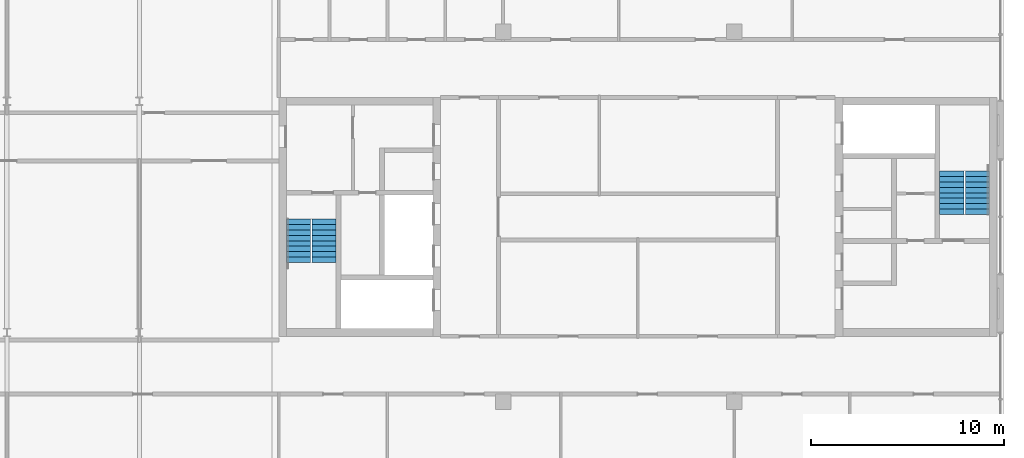
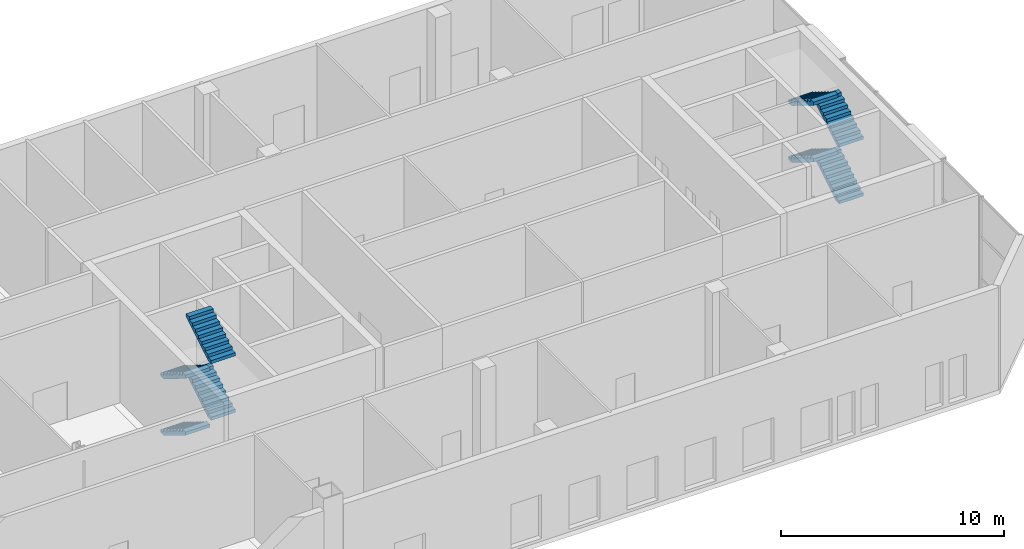
# One storey, part 17 of 20: 8 stair flights, 2 elements without a shape of their own.
"""IFC4 building model written with IfcOpenShell, lengths in metres."""

from ifc_helpers import new_model, si_unit, direction, frame, origin, place, context, subcontext, project, spatial, polyline, outline, extrude, material, type_object, element, aggregate, save


model = new_model("IFC4")

# Units and contexts
model_context = context("Model", 3, precision=1e-05, world=origin(), true_north=direction((0.0, 1.0)))
body_context = subcontext(model_context, "Body", "Model", "MODEL_VIEW")
ifc_project = project(units=[si_unit("LENGTHUNIT", "METRE"), si_unit("AREAUNIT", "SQUARE_METRE"), si_unit("VOLUMEUNIT", "CUBIC_METRE"), si_unit("PLANEANGLEUNIT", "RADIAN"), si_unit("MASSUNIT", "GRAM", prefix="KILO")], contexts=[model_context])

# Site, building, storey
site_placement = place(None, origin())
site = spatial("IfcSite", under=ifc_project, at=site_placement, CompositionType="ELEMENT")
building_placement = place(site_placement, origin())
building = spatial("IfcBuilding", under=site, at=building_placement, Name="Tuart Gate Housing", CompositionType="ELEMENT")
storey_placement = place(building_placement, frame((0.0, 0.0, 215.199951171875)))
storey = spatial("IfcBuildingStorey", under=building, at=storey_placement, Name="L61", CompositionType="ELEMENT", Elevation=215.199951171875)

# Stair, stair flights
ifc_material_1 = material(Name="Concrete C40", Category="concrete")
stair_type = type_object("IfcStairType", Name="Core stair 1250", PredefinedType="HALF_TURN_STAIR", material=ifc_material_1)
stair_1_placement = place(storey_placement, origin())
stair_1 = element("IfcStair", 1, at=stair_1_placement, inside=storey, type_object=stair_type, Name="Stair SB1", PredefinedType="HALF_TURN_STAIR")
ifc_material_2 = material(Name="Concrete C40", Category="concrete")
stair_flight_type = type_object("IfcStairFlightType", Name="Stair flight 1250, 9 risers 172 x 280", PredefinedType="STRAIGHT", material=ifc_material_2)
stair_flight_1_placement = place(storey_placement, frame((132.385009765625, 69.875, 0.0), z_axis=(0.0, 0.0, 1.0), x_axis=(0.0, -1.0, 0.0)))
stair_flight_1 = element("IfcStairFlight", 2, at=stair_flight_1_placement, type_object=stair_flight_type, Name="SB1 flight 1", NumberOfRisers=9, NumberOfTreads=8, PredefinedType="STRAIGHT", RiserHeight=0.172222222, TreadLength=0.28, context=body_context, shape_type="SweptSolid", body=[
    extrude(outline(polyline([(0.0, 0.0), (0.0, 0.172119140625), (0.280029296875, 0.172119140625), (0.280029296875, 0.344482421875), (0.56005859375, 0.344482421875), (0.56005859375, 0.5166015625), (0.840087890625, 0.5166015625), (0.840087890625, 0.68896484375), (1.1201171875, 0.68896484375), (1.1201171875, 0.861083984375), (1.39990234375, 0.861083984375), (1.39990234375, 1.033447265625), (1.679931640625, 1.033447265625), (1.679931640625, 1.20556640625), (1.9599609375, 1.20556640625), (1.9599609375, 1.377685546875), (2.239990234375, 1.377685546875), (2.239990234375, 1.550048828125), (2.239990234375, 1.201904296875), (0.2861328125, 0.0), (0.0, 0.0)])), frame((0.0, 0.625, 0.0), z_axis=(0.0, -1.0, 0.0), x_axis=(1.0, 0.0, 0.0)), (0.0, 0.0, 1.0), 1.25),
])
stair_flight_2_placement = place(storey_placement, frame((133.7099609375, 67.635009765625, 1.550048828125), z_axis=(0.0, 0.0, 1.0), x_axis=(0.0, 1.0, 0.0)))
stair_flight_2 = element("IfcStairFlight", 3, at=stair_flight_2_placement, type_object=stair_flight_type, Name="SB1 flight 2", NumberOfRisers=9, NumberOfTreads=8, PredefinedType="STRAIGHT", RiserHeight=0.172222222, TreadLength=0.28, context=body_context, shape_type="SweptSolid", body=[
    extrude(outline(polyline([(0.0, 0.0), (0.0, 0.172119140625), (0.280029296875, 0.172119140625), (0.280029296875, 0.344482421875), (0.56005859375, 0.344482421875), (0.56005859375, 0.5166015625), (0.840087890625, 0.5166015625), (0.840087890625, 0.68896484375), (1.1201171875, 0.68896484375), (1.1201171875, 0.861083984375), (1.39990234375, 0.861083984375), (1.39990234375, 1.033447265625), (1.679931640625, 1.033447265625), (1.679931640625, 1.20556640625), (1.9599609375, 1.20556640625), (1.9599609375, 1.377685546875), (2.239990234375, 1.377685546875), (2.239990234375, 1.550048828125), (2.239990234375, 1.201904296875), (0.2861328125, 0.0), (0.0, 0.0)])), frame((0.0, 0.625, 0.0), z_axis=(0.0, -1.0, 0.0), x_axis=(1.0, 0.0, 0.0)), (0.0, 0.0, 1.0), 1.25),
])
stair_flight_3_placement = place(storey_placement, frame((132.385009765625, 69.875, 3.10009765625), z_axis=(0.0, 0.0, 1.0), x_axis=(0.0, -1.0, 0.0)))
stair_flight_3 = element("IfcStairFlight", 4, at=stair_flight_3_placement, type_object=stair_flight_type, Name="SB1 flight 3", NumberOfRisers=9, NumberOfTreads=8, PredefinedType="STRAIGHT", RiserHeight=0.172222222, TreadLength=0.28, context=body_context, shape_type="SweptSolid", body=[
    extrude(outline(polyline([(0.0, 0.0), (0.0, 0.172119140625), (0.280029296875, 0.172119140625), (0.280029296875, 0.344482421875), (0.56005859375, 0.344482421875), (0.56005859375, 0.5166015625), (0.840087890625, 0.5166015625), (0.840087890625, 0.68896484375), (1.1201171875, 0.68896484375), (1.1201171875, 0.861083984375), (1.39990234375, 0.861083984375), (1.39990234375, 1.033447265625), (1.679931640625, 1.033447265625), (1.679931640625, 1.20556640625), (1.9599609375, 1.20556640625), (1.9599609375, 1.377685546875), (2.239990234375, 1.377685546875), (2.239990234375, 1.550048828125), (2.239990234375, 1.201904296875), (0.2861328125, 0.0), (0.0, 0.0)])), frame((0.0, 0.625, 0.0), z_axis=(0.0, -1.0, 0.0), x_axis=(1.0, 0.0, 0.0)), (0.0, 0.0, 1.0), 1.25),
])
stair_flight_4_placement = place(storey_placement, frame((133.7099609375, 67.635009765625, 4.650146484375), z_axis=(0.0, 0.0, 1.0), x_axis=(0.0, 1.0, 0.0)))
stair_flight_4 = element("IfcStairFlight", 5, at=stair_flight_4_placement, type_object=stair_flight_type, Name="SB1 flight 4", NumberOfRisers=9, NumberOfTreads=8, PredefinedType="STRAIGHT", RiserHeight=0.172222222, TreadLength=0.28, context=body_context, shape_type="SweptSolid", body=[
    extrude(outline(polyline([(0.0, 0.0), (0.0, 0.172119140625), (0.280029296875, 0.172119140625), (0.280029296875, 0.344482421875), (0.56005859375, 0.344482421875), (0.56005859375, 0.5166015625), (0.840087890625, 0.5166015625), (0.840087890625, 0.68896484375), (1.1201171875, 0.68896484375), (1.1201171875, 0.861083984375), (1.39990234375, 0.861083984375), (1.39990234375, 1.033447265625), (1.679931640625, 1.033447265625), (1.679931640625, 1.20556640625), (1.9599609375, 1.20556640625), (1.9599609375, 1.377685546875), (2.239990234375, 1.377685546875), (2.239990234375, 1.550048828125), (2.239990234375, 1.201904296875), (0.2861328125, 0.0), (0.0, 0.0)])), frame((0.0, 0.625, 0.0), z_axis=(0.0, -1.0, 0.0), x_axis=(1.0, 0.0, 0.0)), (0.0, 0.0, 1.0), 1.25),
])
aggregate(stair_1, [stair_flight_1, stair_flight_2, stair_flight_3, stair_flight_4])

stair_2_placement = place(storey_placement, origin())
stair_2 = element("IfcStair", 6, at=stair_2_placement, inside=storey, type_object=stair_type, Name="Stair SB2", PredefinedType="HALF_TURN_STAIR")
stair_flight_5_placement = place(storey_placement, frame((167.614990234375, 70.125, 0.0), z_axis=(0.0, 0.0, 1.0), x_axis=(0.0, 1.0, 0.0)))
stair_flight_5 = element("IfcStairFlight", 7, at=stair_flight_5_placement, type_object=stair_flight_type, Name="SB2 flight 1", NumberOfRisers=9, NumberOfTreads=8, PredefinedType="STRAIGHT", RiserHeight=0.172222222, TreadLength=0.28, context=body_context, shape_type="SweptSolid", body=[
    extrude(outline(polyline([(0.0, 0.0), (0.0, 0.172119140625), (0.280029296875, 0.172119140625), (0.280029296875, 0.344482421875), (0.56005859375, 0.344482421875), (0.56005859375, 0.5166015625), (0.840087890625, 0.5166015625), (0.840087890625, 0.68896484375), (1.1201171875, 0.68896484375), (1.1201171875, 0.861083984375), (1.39990234375, 0.861083984375), (1.39990234375, 1.033447265625), (1.679931640625, 1.033447265625), (1.679931640625, 1.20556640625), (1.9599609375, 1.20556640625), (1.9599609375, 1.377685546875), (2.239990234375, 1.377685546875), (2.239990234375, 1.550048828125), (2.239990234375, 1.201904296875), (0.2861328125, 0.0), (0.0, 0.0)])), frame((0.0, 0.625, 0.0), z_axis=(0.0, -1.0, 0.0), x_axis=(1.0, 0.0, 0.0)), (0.0, 0.0, 1.0), 1.25),
])
stair_flight_6_placement = place(storey_placement, frame((166.2900390625, 72.364990234375, 1.550048828125), z_axis=(0.0, 0.0, 1.0), x_axis=(0.0, -1.0, 0.0)))
stair_flight_6 = element("IfcStairFlight", 8, at=stair_flight_6_placement, type_object=stair_flight_type, Name="SB2 flight 2", NumberOfRisers=9, NumberOfTreads=8, PredefinedType="STRAIGHT", RiserHeight=0.172222222, TreadLength=0.28, context=body_context, shape_type="SweptSolid", body=[
    extrude(outline(polyline([(0.0, 0.0), (0.0, 0.172119140625), (0.280029296875, 0.172119140625), (0.280029296875, 0.344482421875), (0.56005859375, 0.344482421875), (0.56005859375, 0.5166015625), (0.840087890625, 0.5166015625), (0.840087890625, 0.68896484375), (1.1201171875, 0.68896484375), (1.1201171875, 0.861083984375), (1.39990234375, 0.861083984375), (1.39990234375, 1.033447265625), (1.679931640625, 1.033447265625), (1.679931640625, 1.20556640625), (1.9599609375, 1.20556640625), (1.9599609375, 1.377685546875), (2.239990234375, 1.377685546875), (2.239990234375, 1.550048828125), (2.239990234375, 1.201904296875), (0.2861328125, 0.0), (0.0, 0.0)])), frame((0.0, 0.625, 0.0), z_axis=(0.0, -1.0, 0.0), x_axis=(1.0, 0.0, 0.0)), (0.0, 0.0, 1.0), 1.25),
])
stair_flight_7_placement = place(storey_placement, frame((167.614990234375, 70.125, 3.10009765625), z_axis=(0.0, 0.0, 1.0), x_axis=(0.0, 1.0, 0.0)))
stair_flight_7 = element("IfcStairFlight", 9, at=stair_flight_7_placement, type_object=stair_flight_type, Name="SB2 flight 3", NumberOfRisers=9, NumberOfTreads=8, PredefinedType="STRAIGHT", RiserHeight=0.172222222, TreadLength=0.28, context=body_context, shape_type="SweptSolid", body=[
    extrude(outline(polyline([(0.0, 0.0), (0.0, 0.172119140625), (0.280029296875, 0.172119140625), (0.280029296875, 0.344482421875), (0.56005859375, 0.344482421875), (0.56005859375, 0.5166015625), (0.840087890625, 0.5166015625), (0.840087890625, 0.68896484375), (1.1201171875, 0.68896484375), (1.1201171875, 0.861083984375), (1.39990234375, 0.861083984375), (1.39990234375, 1.033447265625), (1.679931640625, 1.033447265625), (1.679931640625, 1.20556640625), (1.9599609375, 1.20556640625), (1.9599609375, 1.377685546875), (2.239990234375, 1.377685546875), (2.239990234375, 1.550048828125), (2.239990234375, 1.201904296875), (0.2861328125, 0.0), (0.0, 0.0)])), frame((0.0, 0.625, 0.0), z_axis=(0.0, -1.0, 0.0), x_axis=(1.0, 0.0, 0.0)), (0.0, 0.0, 1.0), 1.25),
])
stair_flight_8_placement = place(storey_placement, frame((166.2900390625, 72.364990234375, 4.650146484375), z_axis=(0.0, 0.0, 1.0), x_axis=(0.0, -1.0, 0.0)))
stair_flight_8 = element("IfcStairFlight", 10, at=stair_flight_8_placement, type_object=stair_flight_type, Name="SB2 flight 4", NumberOfRisers=9, NumberOfTreads=8, PredefinedType="STRAIGHT", RiserHeight=0.172222222, TreadLength=0.28, context=body_context, shape_type="SweptSolid", body=[
    extrude(outline(polyline([(0.0, 0.0), (0.0, 0.172119140625), (0.280029296875, 0.172119140625), (0.280029296875, 0.344482421875), (0.56005859375, 0.344482421875), (0.56005859375, 0.5166015625), (0.840087890625, 0.5166015625), (0.840087890625, 0.68896484375), (1.1201171875, 0.68896484375), (1.1201171875, 0.861083984375), (1.39990234375, 0.861083984375), (1.39990234375, 1.033447265625), (1.679931640625, 1.033447265625), (1.679931640625, 1.20556640625), (1.9599609375, 1.20556640625), (1.9599609375, 1.377685546875), (2.239990234375, 1.377685546875), (2.239990234375, 1.550048828125), (2.239990234375, 1.201904296875), (0.2861328125, 0.0), (0.0, 0.0)])), frame((0.0, 0.625, 0.0), z_axis=(0.0, -1.0, 0.0), x_axis=(1.0, 0.0, 0.0)), (0.0, 0.0, 1.0), 1.25),
])
aggregate(stair_2, [stair_flight_5, stair_flight_6, stair_flight_7, stair_flight_8])

save(model, "model.ifc")
